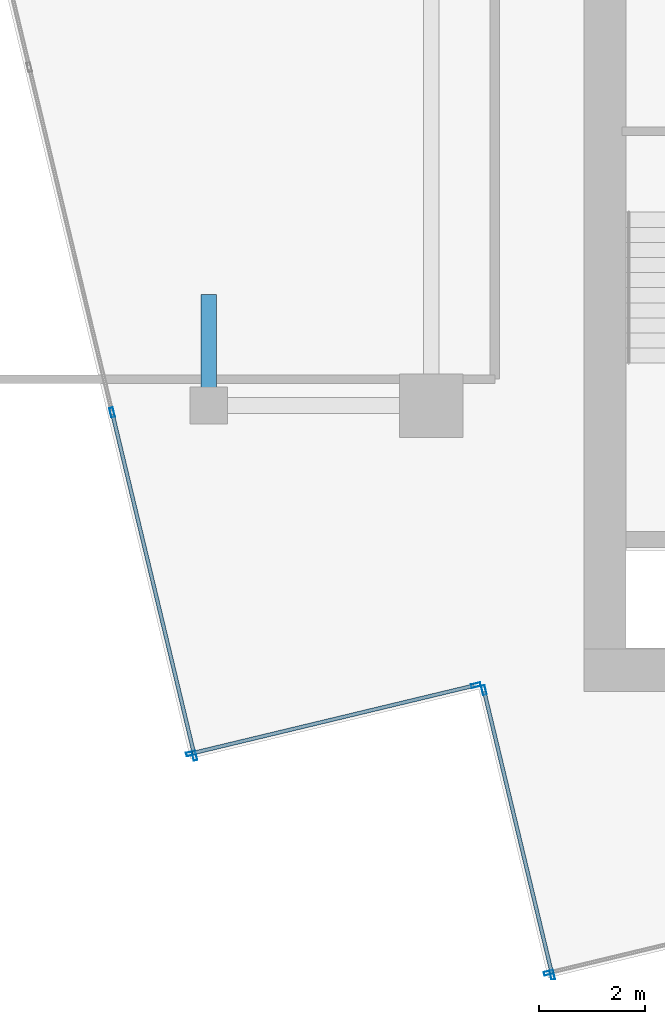
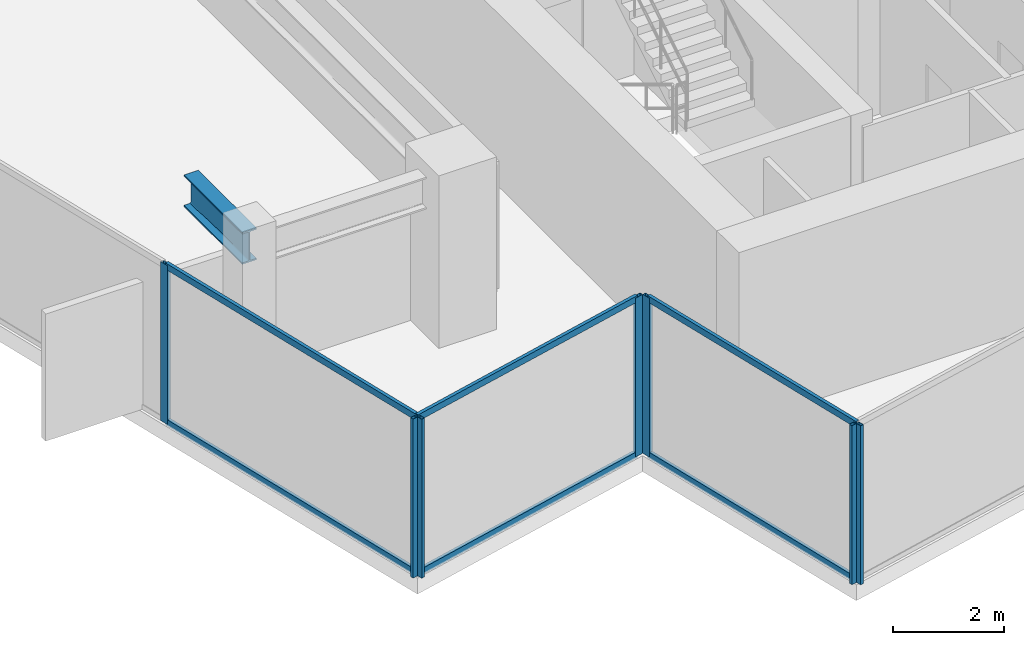
# One storey, part 2 of 19: 13 members, 1 beam, 4 elements without a shape of their own.
"""IFC4 building model written with IfcOpenShell, lengths in metres."""

from ifc_helpers import new_model, si_unit, direction, frame, origin, origin_2d, place, context, subcontext, project, spatial, hollow_rectangle, i_section, extrude, source, transform, mapped, material, material_profile, profile_set, type_object, type_shapes, element, aggregate, save


model = new_model("IFC4")

# Units and contexts
model_context = context("Model", 3, precision=1e-05, world=origin(), true_north=direction((0.0, 1.0)))
body_context = subcontext(model_context, "Body", "Model", "MODEL_VIEW")
ifc_project = project(units=[si_unit("LENGTHUNIT", "METRE"), si_unit("AREAUNIT", "SQUARE_METRE"), si_unit("VOLUMEUNIT", "CUBIC_METRE"), si_unit("PLANEANGLEUNIT", "RADIAN"), si_unit("MASSUNIT", "GRAM", prefix="KILO")], contexts=[model_context])

# Site, building, storey
site_placement = place(None, origin())
site = spatial("IfcSite", under=ifc_project, at=site_placement, CompositionType="ELEMENT")
building_placement = place(site_placement, origin())
building = spatial("IfcBuilding", under=site, at=building_placement, Name="Krantzveldt Concourse Tower", CompositionType="ELEMENT")
storey_placement = place(building_placement, frame((0.0, 0.0, 363.25)))
storey = spatial("IfcBuildingStorey", under=building, at=storey_placement, Name="L89", CompositionType="ELEMENT", Elevation=363.25)

# Beam
ifc_material_1 = material(Name="Steel S355J2", Category="steel")
ifc_material_profile_1 = material_profile(ifc_material_1, i_section(OverallWidth=0.300048828125, OverallDepth=0.699951171875, WebThickness=0.01708984375, FlangeThickness=0.031982421875, FilletRadius=0.027099609375, at=origin_2d()), Name="Steel S355J2", Category="steel")
ifc_profile_set_1 = profile_set([ifc_material_profile_1], Name="Steel S355J2 - HEB 700")
beam_type = type_object("IfcBeamType", Name="BM-B-HEB700", PredefinedType="BEAM", material=ifc_profile_set_1)
shared_shape_1 = source(origin(), body_context, "Body", "SweptSolid", [
    extrude(i_section(OverallWidth=0.300048828125, OverallDepth=0.699951171875, WebThickness=0.01708984375, FlangeThickness=0.031982421875, FilletRadius=0.027099609375, at=origin_2d()), origin(), (0.0, 0.0, 1.0), 2.10009765625),
])
type_shapes(beam_type, [shared_shape_1])
beam_placement = place(storey_placement, frame((21.0, 15.89990234375, 3.14990234375), z_axis=(0.0, 1.0, 0.0), x_axis=(-1.0, 0.0, 0.0)))
element("IfcBeam", 1, at=beam_placement, inside=storey, type_object=beam_type, Name="L89 Crown Girder CBG-89-RW1", PredefinedType="BEAM", context=body_context, shape_type="MappedRepresentation", body=[
    mapped(shared_shape_1, transform((0.0, 0.0, 0.0), x_axis=(1.0, 0.0, 0.0), y_axis=(0.0, 1.0, 0.0), z_axis=(0.0, 0.0, 1.0), scale=1.0)),
])

# Curtain wall, members
ifc_material_2 = material(Name="Anodised aluminium 6063-T6", Category="aluminium")
curtain_wall_type = type_object("IfcCurtainWallType", Name="CW7", PredefinedType="USERDEFINED", material=ifc_material_2)
curtain_wall_1_placement = place(storey_placement, origin())
curtain_wall_1 = element("IfcCurtainWall", 2, at=curtain_wall_1_placement, inside=storey, type_object=curtain_wall_type, Name="CW-L89-BASE-04", ObjectType="UNITISED CURTAIN WALL", PredefinedType="USERDEFINED")
ifc_material_profile_2 = material_profile(ifc_material_2, hollow_rectangle(XDim=0.070068359375, YDim=0.139892578125, WallThickness=0.0048828125, at=origin_2d()), Name="Anodised aluminium 6063-T6", Category="aluminium")
ifc_profile_set_2 = profile_set([ifc_material_profile_2], Name="Anodised aluminium 6063-T6 - ALU-TRAN 140x70x5")
member_type_1 = type_object("IfcMemberType", Name="CW-TRN-150", PredefinedType="USERDEFINED", material=ifc_profile_set_2)
shared_shape_2 = source(origin(), body_context, "Body", "SweptSolid", [
    extrude(hollow_rectangle(XDim=0.070068359375, YDim=0.139892578125, WallThickness=0.0048828125, at=origin_2d()), origin(), (0.0, 0.0, 1.0), 6.5947265625),
])
member_1_placement = place(storey_placement, frame((19.184814453125, 15.736572265625, 0.034912109375), z_axis=(0.233448560082, -0.972369153046, 0.0), x_axis=(0.972369153046, 0.233448560082, 0.0)))
member_1 = element("IfcMember", 3, at=member_1_placement, type_object=member_type_1, Name="CW-CRN transom 4.1", ObjectType="TRANSOM", PredefinedType="USERDEFINED", context=body_context, shape_type="MappedRepresentation", body=[
    mapped(shared_shape_2, transform((0.0, 0.0, 0.0), x_axis=(1.0, 0.0, 0.0), y_axis=(0.0, 1.0, 0.0), z_axis=(0.0, 0.0, 1.0), scale=1.0)),
])
member_2_placement = place(storey_placement, frame((19.184814453125, 15.736572265625, 3.465087890625), z_axis=(0.233448560082, -0.972369153046, 0.0), x_axis=(0.972369153046, 0.233448560082, 0.0)))
member_2 = element("IfcMember", 4, at=member_2_placement, type_object=member_type_1, Name="CW-CRN transom 4.2", ObjectType="TRANSOM", PredefinedType="USERDEFINED", context=body_context, shape_type="MappedRepresentation", body=[
    mapped(shared_shape_2, transform((0.0, 0.0, 0.0), x_axis=(1.0, 0.0, 0.0), y_axis=(0.0, 1.0, 0.0), z_axis=(0.0, 0.0, 1.0), scale=1.0)),
])
ifc_material_profile_3 = material_profile(ifc_material_2, hollow_rectangle(XDim=0.070068359375, YDim=0.179931640625, WallThickness=0.0048828125, at=origin_2d()), Name="Anodised aluminium 6063-T6", Category="aluminium")
ifc_profile_set_3 = profile_set([ifc_material_profile_3], Name="Anodised aluminium 6063-T6 - ALU-MULL 180x70x5")
member_type_2 = type_object("IfcMemberType", Name="CW-MUL-180", PredefinedType="MULLION", material=ifc_profile_set_3)
shared_shape_3 = source(origin(), body_context, "Body", "SweptSolid", [
    extrude(hollow_rectangle(XDim=0.070068359375, YDim=0.179931640625, WallThickness=0.0048828125, at=origin_2d()), origin(), (0.0, 0.0, 1.0), 3.5),
])
type_shapes(member_type_2, [shared_shape_3])
member_3_placement = place(storey_placement, frame((19.176513671875, 15.770751953125, 0.0), z_axis=(0.0, 0.0, 1.0), x_axis=(0.972369896884, 0.233445461796, 0.0)))
member_3 = element("IfcMember", 5, at=member_3_placement, type_object=member_type_2, Name="CW-CRN mullion 4", PredefinedType="MULLION", context=body_context, shape_type="MappedRepresentation", body=[
    mapped(shared_shape_3, transform((0.0, 0.0, 0.0), x_axis=(1.0, 0.0, 0.0), y_axis=(0.0, 1.0, 0.0), z_axis=(0.0, 0.0, 1.0), scale=1.0)),
])
member_4_placement = place(storey_placement, frame((20.732421875, 9.289794921875, 0.0), z_axis=(0.0, 0.0, 1.0), x_axis=(0.972369896884, 0.233445461796, 0.0)))
member_4 = element("IfcMember", 6, at=member_4_placement, type_object=member_type_2, Name="CW-CRN mullion 5", PredefinedType="MULLION", context=body_context, shape_type="MappedRepresentation", body=[
    mapped(shared_shape_3, transform((0.0, 0.0, 0.0), x_axis=(1.0, 0.0, 0.0), y_axis=(0.0, 1.0, 0.0), z_axis=(0.0, 0.0, 1.0), scale=1.0)),
])
aggregate(curtain_wall_1, [member_3, member_4, member_1, member_2])

curtain_wall_2_placement = place(storey_placement, origin())
curtain_wall_2 = element("IfcCurtainWall", 7, at=curtain_wall_2_placement, inside=storey, type_object=curtain_wall_type, Name="CW-L89-BASE-05", ObjectType="UNITISED CURTAIN WALL", PredefinedType="USERDEFINED")
member_5_placement = place(storey_placement, frame((20.666259765625, 9.33056640625, 0.0), z_axis=(0.0, 0.0, 1.0), x_axis=(-0.233446433541, 0.972369663588, 0.0)))
member_5 = element("IfcMember", 8, at=member_5_placement, type_object=member_type_2, Name="CW-CRN mullion 1", PredefinedType="MULLION", context=body_context, shape_type="MappedRepresentation", body=[
    mapped(shared_shape_3, transform((0.0, 0.0, 0.0), x_axis=(1.0, 0.0, 0.0), y_axis=(0.0, 1.0, 0.0), z_axis=(0.0, 0.0, 1.0), scale=1.0)),
])
member_6_placement = place(storey_placement, frame((26.04345703125, 10.621337890625, 0.0), z_axis=(0.0, 0.0, 1.0), x_axis=(-0.233446433541, 0.972369663588, 0.0)))
member_6 = element("IfcMember", 9, at=member_6_placement, type_object=member_type_2, Name="CW-CRN mullion 2", PredefinedType="MULLION", context=body_context, shape_type="MappedRepresentation", body=[
    mapped(shared_shape_3, transform((0.0, 0.0, 0.0), x_axis=(1.0, 0.0, 0.0), y_axis=(0.0, 1.0, 0.0), z_axis=(0.0, 0.0, 1.0), scale=1.0)),
])

curtain_wall_3_placement = place(storey_placement, origin())
curtain_wall_3 = element("IfcCurtainWall", 10, at=curtain_wall_3_placement, inside=storey, type_object=curtain_wall_type, Name="CW-L89-BASE-06", ObjectType="UNITISED CURTAIN WALL", PredefinedType="USERDEFINED")
member_7_placement = place(storey_placement, frame((26.194091796875, 10.529052734375, 0.0), z_axis=(0.0, 0.0, 1.0), x_axis=(0.97237016625, 0.233444339805, 0.0)))
member_7 = element("IfcMember", 11, at=member_7_placement, type_object=member_type_2, Name="CW-CRN mullion 1", PredefinedType="MULLION", context=body_context, shape_type="MappedRepresentation", body=[
    mapped(shared_shape_3, transform((0.0, 0.0, 0.0), x_axis=(1.0, 0.0, 0.0), y_axis=(0.0, 1.0, 0.0), z_axis=(0.0, 0.0, 1.0), scale=1.0)),
])
member_8_placement = place(storey_placement, frame((27.485107421875, 5.15185546875, 0.0), z_axis=(0.0, 0.0, 1.0), x_axis=(0.97237016625, 0.233444339805, 0.0)))
member_8 = element("IfcMember", 12, at=member_8_placement, type_object=member_type_2, Name="CW-CRN mullion 2", PredefinedType="MULLION", context=body_context, shape_type="MappedRepresentation", body=[
    mapped(shared_shape_3, transform((0.0, 0.0, 0.0), x_axis=(1.0, 0.0, 0.0), y_axis=(0.0, 1.0, 0.0), z_axis=(0.0, 0.0, 1.0), scale=1.0)),
])

# Curtain wall, member
curtain_wall_4_placement = place(storey_placement, origin())
curtain_wall_4 = element("IfcCurtainWall", 13, at=curtain_wall_4_placement, inside=storey, type_object=curtain_wall_type, Name="CW-L89-BASE-07", ObjectType="UNITISED CURTAIN WALL", PredefinedType="USERDEFINED")
member_9_placement = place(storey_placement, frame((27.418701171875, 5.1923828125, 0.0), z_axis=(0.0, 0.0, 1.0), x_axis=(-0.233445461796, 0.972369896884, 0.0)))
member_9 = element("IfcMember", 14, at=member_9_placement, type_object=member_type_2, Name="CW-CRN mullion 1", PredefinedType="MULLION", context=body_context, shape_type="MappedRepresentation", body=[
    mapped(shared_shape_3, transform((0.0, 0.0, 0.0), x_axis=(1.0, 0.0, 0.0), y_axis=(0.0, 1.0, 0.0), z_axis=(0.0, 0.0, 1.0), scale=1.0)),
])
aggregate(curtain_wall_4, [member_9])

# Member
shared_shape_4 = source(origin(), body_context, "Body", "SweptSolid", [
    extrude(hollow_rectangle(XDim=0.070068359375, YDim=0.139892578125, WallThickness=0.0048828125, at=origin_2d()), origin(), (0.0, 0.0, 1.0), 5.4599609375),
])
member_10_placement = place(storey_placement, frame((20.7001953125, 9.338623046875, 0.034912109375), z_axis=(0.972367410185, 0.233455819396, 0.0), x_axis=(-0.233455819396, 0.972367410185, 0.0)))
member_10 = element("IfcMember", 15, at=member_10_placement, type_object=member_type_1, Name="CW-CRN transom 1.1", ObjectType="TRANSOM", PredefinedType="USERDEFINED", context=body_context, shape_type="MappedRepresentation", body=[
    mapped(shared_shape_4, transform((0.0, 0.0, 0.0), x_axis=(1.0, 0.0, 0.0), y_axis=(0.0, 1.0, 0.0), z_axis=(0.0, 0.0, 1.0), scale=1.0)),
])

member_11_placement = place(storey_placement, frame((20.7001953125, 9.338623046875, 3.465087890625), z_axis=(0.972367410185, 0.233455819396, 0.0), x_axis=(-0.233455819396, 0.972367410185, 0.0)))
member_11 = element("IfcMember", 16, at=member_11_placement, type_object=member_type_1, Name="CW-CRN transom 1.2", ObjectType="TRANSOM", PredefinedType="USERDEFINED", context=body_context, shape_type="MappedRepresentation", body=[
    mapped(shared_shape_4, transform((0.0, 0.0, 0.0), x_axis=(1.0, 0.0, 0.0), y_axis=(0.0, 1.0, 0.0), z_axis=(0.0, 0.0, 1.0), scale=1.0)),
])

aggregate(curtain_wall_2, [member_5, member_6, member_10, member_11])

shared_shape_5 = source(origin(), body_context, "Body", "SweptSolid", [
    extrude(hollow_rectangle(XDim=0.070068359375, YDim=0.139892578125, WallThickness=0.0048828125, at=origin_2d()), origin(), (0.0, 0.0, 1.0), 5.460205078125),
])
type_shapes(member_type_1, [shared_shape_2, shared_shape_4, shared_shape_5])
member_12_placement = place(storey_placement, frame((26.2021484375, 10.4951171875, 0.034912109375), z_axis=(0.233445669355, -0.972369847054, 0.0), x_axis=(0.972369847054, 0.233445669355, 0.0)))
member_12 = element("IfcMember", 17, at=member_12_placement, type_object=member_type_1, Name="CW-CRN transom 1.1", ObjectType="TRANSOM", PredefinedType="USERDEFINED", context=body_context, shape_type="MappedRepresentation", body=[
    mapped(shared_shape_5, transform((0.0, 0.0, 0.0), x_axis=(1.0, 0.0, 0.0), y_axis=(0.0, 1.0, 0.0), z_axis=(0.0, 0.0, 1.0), scale=1.0)),
])

member_13_placement = place(storey_placement, frame((26.2021484375, 10.4951171875, 3.465087890625), z_axis=(0.233445669355, -0.972369847054, 0.0), x_axis=(0.972369847054, 0.233445669355, 0.0)))
member_13 = element("IfcMember", 18, at=member_13_placement, type_object=member_type_1, Name="CW-CRN transom 1.2", ObjectType="TRANSOM", PredefinedType="USERDEFINED", context=body_context, shape_type="MappedRepresentation", body=[
    mapped(shared_shape_5, transform((0.0, 0.0, 0.0), x_axis=(1.0, 0.0, 0.0), y_axis=(0.0, 1.0, 0.0), z_axis=(0.0, 0.0, 1.0), scale=1.0)),
])

aggregate(curtain_wall_3, [member_7, member_8, member_12, member_13])

save(model, "model.ifc")
